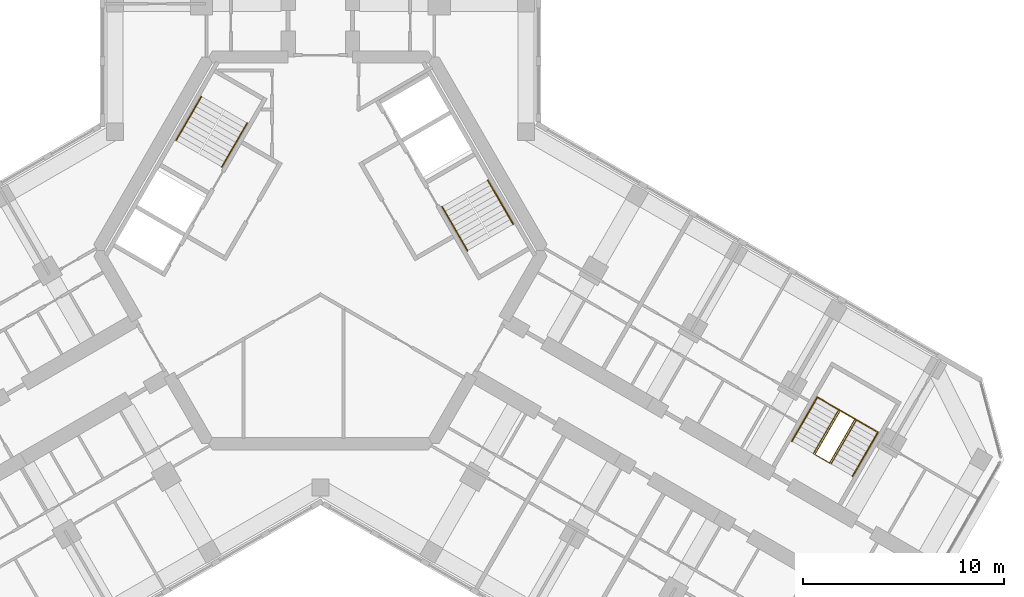
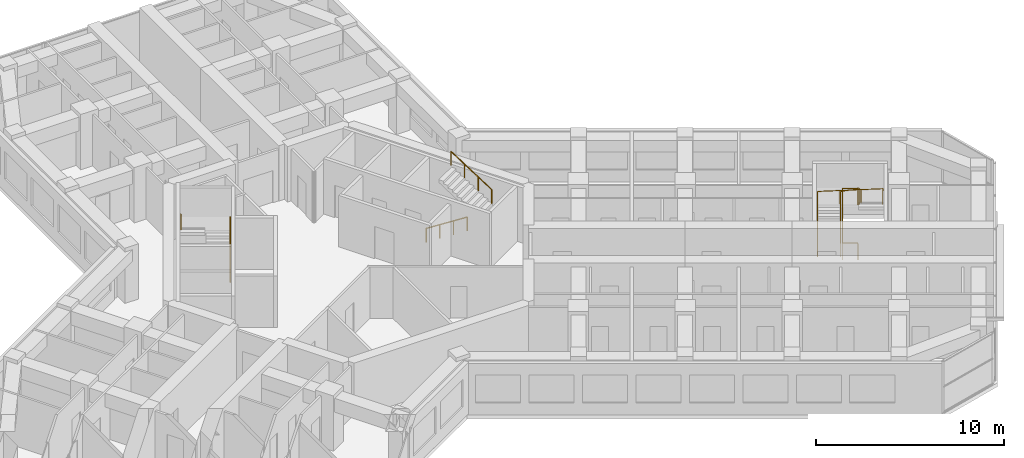
# One storey, part 16 of 16: 7 railings.
"""IFC4 building model written with IfcOpenShell, lengths in metres."""

from ifc_helpers import new_model, si_unit, direction, frame, origin, origin_2d, place, context, subcontext, project, spatial, circle, extrude, material, type_object, element, save


model = new_model("IFC4")

# Units and contexts
model_context = context("Model", 3, precision=1e-05, world=origin(), true_north=direction((0.0, 1.0)))
body_context = subcontext(model_context, "Body", "Model", "MODEL_VIEW")
ifc_project = project(units=[si_unit("LENGTHUNIT", "METRE"), si_unit("AREAUNIT", "SQUARE_METRE"), si_unit("VOLUMEUNIT", "CUBIC_METRE"), si_unit("PLANEANGLEUNIT", "RADIAN"), si_unit("MASSUNIT", "GRAM", prefix="KILO")], contexts=[model_context])

# Site, building, storey
site_placement = place(None, origin())
site = spatial("IfcSite", under=ifc_project, at=site_placement, CompositionType="ELEMENT")
building_placement = place(site_placement, origin())
building = spatial("IfcBuilding", under=site, at=building_placement, Name="Kosmar Iwan School Tower", CompositionType="ELEMENT")
storey_placement = place(building_placement, frame((0.0, 0.0, 249.60009765625)))
storey = spatial("IfcBuildingStorey", under=building, at=storey_placement, Name="L63", CompositionType="ELEMENT", Elevation=249.60009765625)

# Railings
ifc_material_1 = material(Name="Black steel", Category="steel")
railing_type_1 = type_object("IfcRailingType", Name="Stair handrail 900", PredefinedType="HANDRAIL", material=ifc_material_1)
railing_1_placement = place(storey_placement, frame((-4.89453125, 4.142333984375, 0.179931640625)))
element("IfcRailing", 1, at=railing_1_placement, inside=storey, type_object=railing_type_1, Name="Handrail ST2 flight 1", PredefinedType="HANDRAIL", context=body_context, shape_type="SweptSolid", body=[
    extrude(circle(Radius=0.02392578125, at=origin_2d()), frame((0.0, 0.0, 0.8759765625), z_axis=(0.42060268101, 0.72849590497, 0.54072830624), x_axis=(-0.866022637375, 0.500004791531, 0.0)), (0.0, 0.0, 1.0), 2.99560546875),
    extrude(circle(Radius=0.02099609375, at=origin_2d()), origin(), (0.0, 0.0, 1.0), 0.851806640625),
    extrude(circle(Radius=0.02099609375, at=origin_2d()), frame((0.419921875, 0.7275390625, 0.5400390625)), (0.0, 0.0, 1.0), 0.851806640625),
    extrude(circle(Radius=0.02099609375, at=origin_2d()), frame((0.840087890625, 1.454833984375, 1.079833984375)), (0.0, 0.0, 1.0), 0.851806640625),
    extrude(circle(Radius=0.02099609375, at=origin_2d()), frame((1.260009765625, 2.182373046875, 1.619873046875)), (0.0, 0.0, 1.0), 0.851806640625),
])
railing_2_placement = place(storey_placement, frame((-5.912353515625, 7.6396484375, 1.97998046875)))
element("IfcRailing", 2, at=railing_2_placement, inside=storey, type_object=railing_type_1, Name="Handrail ST2 flight 2", PredefinedType="HANDRAIL", context=body_context, shape_type="SweptSolid", body=[
    extrude(circle(Radius=0.02392578125, at=origin_2d()), frame((0.0, 0.0, 0.8759765625), z_axis=(-0.42060268101, -0.72849590497, 0.54072830624), x_axis=(0.866022637375, -0.500004791531, 0.0)), (0.0, 0.0, 1.0), 2.99560546875),
    extrude(circle(Radius=0.02099609375, at=origin_2d()), origin(), (0.0, 0.0, 1.0), 0.851806640625),
    extrude(circle(Radius=0.02099609375, at=origin_2d()), frame((-0.419921875, -0.7275390625, 0.5400390625)), (0.0, 0.0, 1.0), 0.851806640625),
    extrude(circle(Radius=0.02099609375, at=origin_2d()), frame((-0.840087890625, -1.454833984375, 1.079833984375)), (0.0, 0.0, 1.0), 0.851806640625),
    extrude(circle(Radius=0.02099609375, at=origin_2d()), frame((-1.260009765625, -2.182373046875, 1.619873046875)), (0.0, 0.0, 1.0), 0.851806640625),
])
railing_3_placement = place(storey_placement, frame((6.03466796875, 2.167724609375, 0.179931640625)))
element("IfcRailing", 3, at=railing_3_placement, inside=storey, type_object=railing_type_1, Name="Handrail ST1 flight 1", PredefinedType="HANDRAIL", context=body_context, shape_type="SweptSolid", body=[
    extrude(circle(Radius=0.02392578125, at=origin_2d()), frame((0.0, 0.0, 0.8759765625), z_axis=(0.42060268101, -0.72849590497, 0.54072830624), x_axis=(0.866022637375, 0.500004791531, 0.0)), (0.0, 0.0, 1.0), 2.99560546875),
    extrude(circle(Radius=0.02099609375, at=origin_2d()), origin(), (0.0, 0.0, 1.0), 0.851806640625),
    extrude(circle(Radius=0.02099609375, at=origin_2d()), frame((0.419921875, -0.7275390625, 0.5400390625)), (0.0, 0.0, 1.0), 0.851806640625),
    extrude(circle(Radius=0.02099609375, at=origin_2d()), frame((0.840087890625, -1.454833984375, 1.079833984375)), (0.0, 0.0, 1.0), 0.851806640625),
    extrude(circle(Radius=0.02099609375, at=origin_2d()), frame((1.260009765625, -2.182373046875, 1.619873046875)), (0.0, 0.0, 1.0), 0.851806640625),
])
railing_4_placement = place(storey_placement, frame((9.572265625, 1.30029296875, 1.97998046875)))
element("IfcRailing", 4, at=railing_4_placement, inside=storey, type_object=railing_type_1, Name="Handrail ST1 flight 2", PredefinedType="HANDRAIL", context=body_context, shape_type="SweptSolid", body=[
    extrude(circle(Radius=0.02392578125, at=origin_2d()), frame((0.0, 0.0, 0.8759765625), z_axis=(-0.42060268101, 0.72849590497, 0.54072830624), x_axis=(-0.866022637375, -0.500004791531, 0.0)), (0.0, 0.0, 1.0), 2.99560546875),
    extrude(circle(Radius=0.02099609375, at=origin_2d()), origin(), (0.0, 0.0, 1.0), 0.851806640625),
    extrude(circle(Radius=0.02099609375, at=origin_2d()), frame((-0.419921875, 0.7275390625, 0.5400390625)), (0.0, 0.0, 1.0), 0.851806640625),
    extrude(circle(Radius=0.02099609375, at=origin_2d()), frame((-0.840087890625, 1.454833984375, 1.079833984375)), (0.0, 0.0, 1.0), 0.851806640625),
    extrude(circle(Radius=0.02099609375, at=origin_2d()), frame((-1.260009765625, 2.182373046875, 1.619873046875)), (0.0, 0.0, 1.0), 0.851806640625),
])
railing_5_placement = place(storey_placement, frame((23.4091796875, -9.473876953125, 0.179931640625)))
element("IfcRailing", 5, at=railing_5_placement, inside=storey, type_object=railing_type_1, Name="Handrail stair WS3 L63 wall side", PredefinedType="HANDRAIL", context=body_context, shape_type="SweptSolid", body=[
    extrude(circle(Radius=0.02392578125, at=origin_2d()), frame((0.0, 0.0, 0.8759765625), z_axis=(0.42060268101, 0.72849590497, 0.54072830624), x_axis=(-0.866022637375, 0.500004791531, 0.0)), (0.0, 0.0, 1.0), 2.99560546875),
    extrude(circle(Radius=0.02392578125, at=origin_2d()), frame((1.260009765625, 2.182373046875, 2.49560546875), z_axis=(0.864878876685, -0.499310794179, 0.051703573187), x_axis=(0.499979528911, 0.866037222451, 0.0)), (0.0, 0.0, 1.0), 3.48486328125),
    extrude(circle(Radius=0.02392578125, at=origin_2d()), frame((4.27392578125, 0.4423828125, 2.67578125), z_axis=(-0.42060268101, -0.72849590497, 0.54072830624), x_axis=(0.866022637375, -0.500004791531, 0.0)), (0.0, 0.0, 1.0), 2.99560546875),
    extrude(circle(Radius=0.02099609375, at=origin_2d()), origin(), (0.0, 0.0, 1.0), 0.851806640625),
    extrude(circle(Radius=0.02099609375, at=origin_2d()), frame((0.419921875, 0.7275390625, 0.5400390625)), (0.0, 0.0, 1.0), 0.851806640625),
    extrude(circle(Radius=0.02099609375, at=origin_2d()), frame((0.840087890625, 1.454833984375, 1.079833984375)), (0.0, 0.0, 1.0), 0.851806640625),
    extrude(circle(Radius=0.02099609375, at=origin_2d()), frame((1.260009765625, 2.182373046875, 1.619873046875)), (0.0, 0.0, 1.0), 0.851806640625),
    extrude(circle(Radius=0.02099609375, at=origin_2d()), frame((2.2646484375, 1.602294921875, 1.679931640625)), (0.0, 0.0, 1.0), 0.851806640625),
    extrude(circle(Radius=0.02099609375, at=origin_2d()), frame((3.269287109375, 1.0224609375, 1.739990234375)), (0.0, 0.0, 1.0), 0.851806640625),
    extrude(circle(Radius=0.02099609375, at=origin_2d()), frame((4.27392578125, 0.4423828125, 1.800048828125)), (0.0, 0.0, 1.0), 0.851806640625),
    extrude(circle(Radius=0.02099609375, at=origin_2d()), frame((3.85400390625, -0.28515625, 2.340087890625)), (0.0, 0.0, 1.0), 0.851806640625),
    extrude(circle(Radius=0.02099609375, at=origin_2d()), frame((3.433837890625, -1.012451171875, 2.8798828125)), (0.0, 0.0, 1.0), 0.851806640625),
    extrude(circle(Radius=0.02099609375, at=origin_2d()), frame((3.013916015625, -1.739990234375, 3.419921875)), (0.0, 0.0, 1.0), 0.851806640625),
])
railing_6_placement = place(storey_placement, frame((24.474609375, -10.0888671875, 0.179931640625)))
element("IfcRailing", 6, at=railing_6_placement, inside=storey, type_object=railing_type_1, Name="Handrail stair WS3 L63 well side", PredefinedType="HANDRAIL", context=body_context, shape_type="SweptSolid", body=[
    extrude(circle(Radius=0.02392578125, at=origin_2d()), frame((0.0, 0.0, 0.8759765625), z_axis=(0.42060268101, 0.72849590497, 0.54072830624), x_axis=(-0.866022637375, 0.500004791531, 0.0)), (0.0, 0.0, 1.0), 2.99560546875),
    extrude(circle(Radius=0.02392578125, at=origin_2d()), frame((1.260009765625, 2.182373046875, 2.49560546875), z_axis=(0.852806573049, -0.492402689635, 0.173955569627), x_axis=(0.500026340207, 0.866010195725, 0.0)), (0.0, 0.0, 1.0), 1.03564453125),
    extrude(circle(Radius=0.02392578125, at=origin_2d()), frame((2.143310546875, 1.67236328125, 2.67578125), z_axis=(-0.42060268101, -0.72849590497, 0.54072830624), x_axis=(0.866022637375, -0.500004791531, 0.0)), (0.0, 0.0, 1.0), 2.99560546875),
    extrude(circle(Radius=0.02099609375, at=origin_2d()), origin(), (0.0, 0.0, 1.0), 0.851806640625),
    extrude(circle(Radius=0.02099609375, at=origin_2d()), frame((0.419921875, 0.7275390625, 0.5400390625)), (0.0, 0.0, 1.0), 0.851806640625),
    extrude(circle(Radius=0.02099609375, at=origin_2d()), frame((0.840087890625, 1.454833984375, 1.079833984375)), (0.0, 0.0, 1.0), 0.851806640625),
    extrude(circle(Radius=0.02099609375, at=origin_2d()), frame((1.260009765625, 2.182373046875, 1.619873046875)), (0.0, 0.0, 1.0), 0.851806640625),
    extrude(circle(Radius=0.02099609375, at=origin_2d()), frame((2.143310546875, 1.67236328125, 1.800048828125)), (0.0, 0.0, 1.0), 0.851806640625),
    extrude(circle(Radius=0.02099609375, at=origin_2d()), frame((1.723388671875, 0.94482421875, 2.340087890625)), (0.0, 0.0, 1.0), 0.851806640625),
    extrude(circle(Radius=0.02099609375, at=origin_2d()), frame((1.30322265625, 0.217529296875, 2.8798828125)), (0.0, 0.0, 1.0), 0.851806640625),
    extrude(circle(Radius=0.02099609375, at=origin_2d()), frame((0.88330078125, -0.510009765625, 3.419921875)), (0.0, 0.0, 1.0), 0.851806640625),
])
ifc_material_2 = material(Name="Black steel", Category="steel")
railing_type_2 = type_object("IfcRailingType", Name="Stair well guard 1100", PredefinedType="GUARDRAIL", material=ifc_material_2)
railing_7_placement = place(storey_placement, frame((25.280029296875, -10.553955078125, 0.0)))
element("IfcRailing", 7, at=railing_7_placement, inside=storey, type_object=railing_type_2, Name="Stair WS3 L63 well guard", PredefinedType="GUARDRAIL", context=body_context, shape_type="SweptSolid", body=[
    extrude(circle(Radius=0.02392578125, at=origin_2d()), frame((0.0, 0.0, 1.076171875), z_axis=(-0.865962960534, 0.500108139288, 0.0), x_axis=(-0.500108139288, -0.865962960534, 0.0)), (0.0, 0.0, 1.0), 0.840087890625),
    extrude(circle(Radius=0.02392578125, at=origin_2d()), frame((-0.7275390625, 0.420166015625, 1.076171875), z_axis=(0.406885297737, 0.704737003773, 0.581197135229), x_axis=(-0.866022637375, 0.500004791531, 0.0)), (0.0, 0.0, 1.0), 3.0966796875),
    extrude(circle(Radius=0.02392578125, at=origin_2d()), frame((0.532470703125, 2.6025390625, 2.8759765625), z_axis=(0.865890253765, -0.500234013672, 0.0), x_axis=(0.500234013672, 0.865890253765, 0.0)), (0.0, 0.0, 1.0), 0.83984375),
    extrude(circle(Radius=0.02392578125, at=origin_2d()), frame((1.259765625, 2.182373046875, 2.8759765625), z_axis=(-0.406800866334, -0.70472731476, 0.58126798207), x_axis=(0.866064587494, -0.499932125682, 0.0)), (0.0, 0.0, 1.0), 3.0966796875),
    extrude(circle(Radius=0.02099609375, at=origin_2d()), origin(), (0.0, 0.0, 1.0), 1.052001953125),
    extrude(circle(Radius=0.02099609375, at=origin_2d()), frame((-0.7275390625, 0.420166015625, 0.0)), (0.0, 0.0, 1.0), 1.052001953125),
    extrude(circle(Radius=0.02099609375, at=origin_2d()), frame((-0.3076171875, 1.147705078125, 0.599853515625)), (0.0, 0.0, 1.0), 1.052001953125),
    extrude(circle(Radius=0.02099609375, at=origin_2d()), frame((0.112548828125, 1.875, 1.199951171875)), (0.0, 0.0, 1.0), 1.052001953125),
    extrude(circle(Radius=0.02099609375, at=origin_2d()), frame((0.532470703125, 2.6025390625, 1.7998046875)), (0.0, 0.0, 1.0), 1.052001953125),
    extrude(circle(Radius=0.02099609375, at=origin_2d()), frame((1.259765625, 2.182373046875, 1.7998046875)), (0.0, 0.0, 1.0), 1.052001953125),
    extrude(circle(Radius=0.02099609375, at=origin_2d()), frame((0.83984375, 1.454833984375, 2.39990234375)), (0.0, 0.0, 1.0), 1.052001953125),
    extrude(circle(Radius=0.02099609375, at=origin_2d()), frame((0.419921875, 0.7275390625, 2.999755859375)), (0.0, 0.0, 1.0), 1.052001953125),
    extrude(circle(Radius=0.02099609375, at=origin_2d()), frame((0.0, 0.0, 3.599853515625)), (0.0, 0.0, 1.0), 1.052001953125),
])

save(model, "model.ifc")
